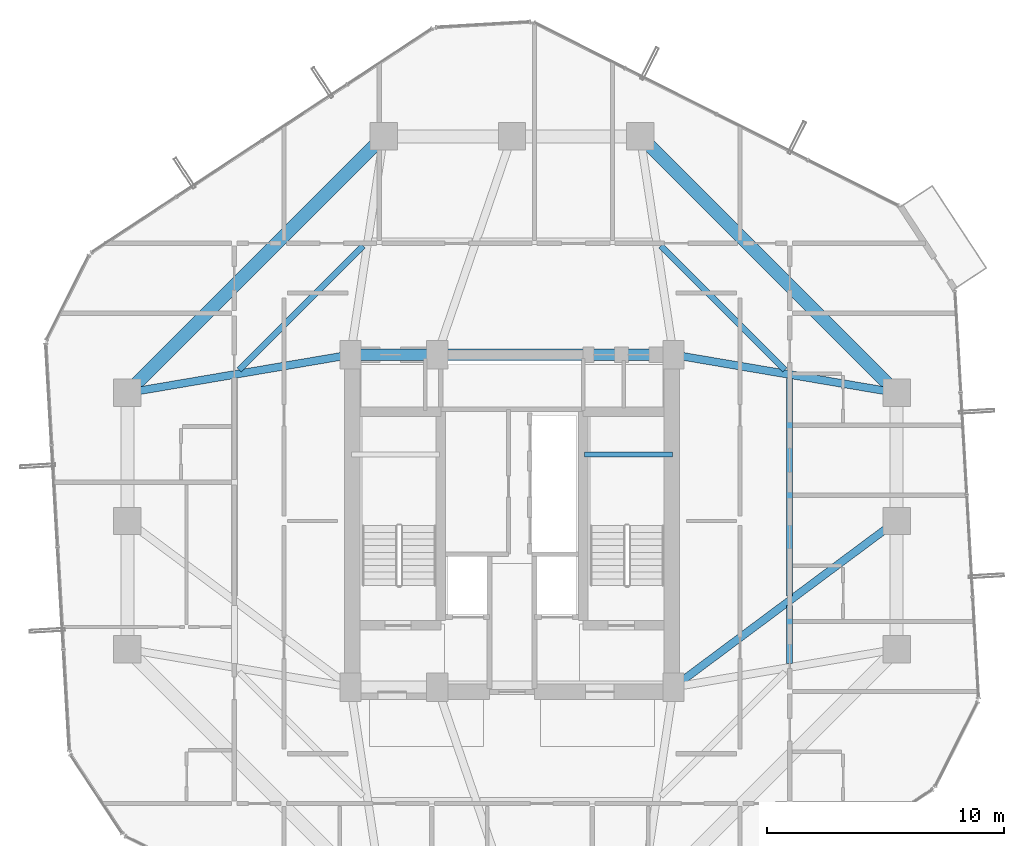
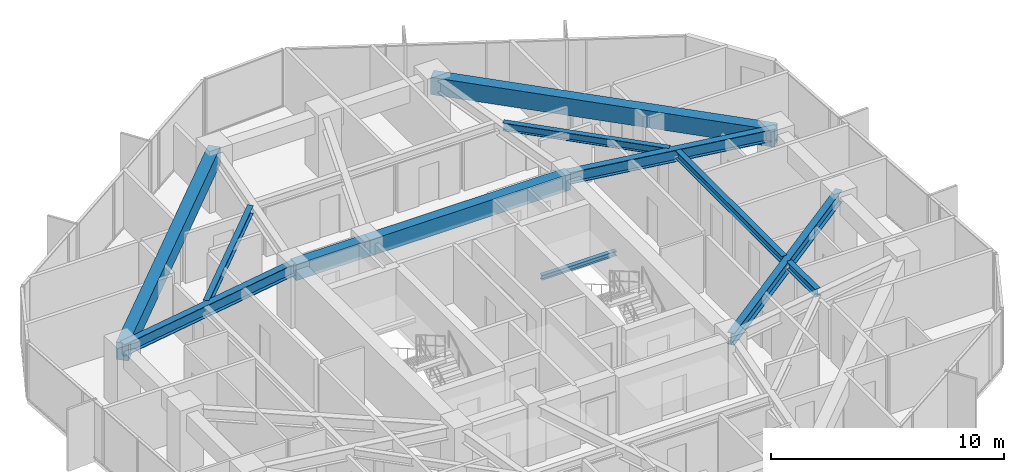
# One storey, part 13 of 33: 12 beams.
"""IFC4 building model written with IfcOpenShell, lengths in metres."""

from ifc_helpers import new_model, si_unit, direction, frame, origin, origin_2d, place, context, subcontext, project, spatial, rectangle, i_section, extrude, material, material_profile, profile_set, type_object, element, save


model = new_model("IFC4")

# Units and contexts
model_context = context("Model", 3, precision=1e-05, world=origin(), true_north=direction((0.0, 1.0)))
body_context = subcontext(model_context, "Body", "Model", "MODEL_VIEW")
ifc_project = project(units=[si_unit("LENGTHUNIT", "METRE"), si_unit("AREAUNIT", "SQUARE_METRE"), si_unit("VOLUMEUNIT", "CUBIC_METRE"), si_unit("PLANEANGLEUNIT", "RADIAN"), si_unit("MASSUNIT", "GRAM", prefix="KILO")], contexts=[model_context])

# Site, building, storey
site_placement = place(None, origin())
site = spatial("IfcSite", under=ifc_project, at=site_placement, CompositionType="ELEMENT")
building_placement = place(site_placement, origin())
building = spatial("IfcBuilding", under=site, at=building_placement, Name="Veraguas Prism Commons", CompositionType="ELEMENT")
storey_placement = place(building_placement, frame((0.0, 0.0, 139.25)))
storey = spatial("IfcBuildingStorey", under=building, at=storey_placement, Name="L39", CompositionType="ELEMENT", Elevation=139.25)

# Beams
ifc_material_1 = material(Name="Concrete C50/60", Category="concrete")
ifc_material_profile_1 = material_profile(ifc_material_1, rectangle(XDim=0.5, YDim=0.85009765625, at=origin_2d()), Name="RC500X850")
ifc_profile_set_1 = profile_set([ifc_material_profile_1], Name="Concrete C50/60")
beam_type_1 = type_object("IfcBeamType", Name="Core Coupling Beam RC 500x850", PredefinedType="BEAM", material=ifc_profile_set_1)
beam_1_placement = place(storey_placement, frame((17.199951171875, 31.0, 2.574951171875), z_axis=(1.0, 0.0, 0.0), x_axis=(0.0, 1.0, 0.0)))
element("IfcBeam", 1, at=beam_1_placement, inside=storey, type_object=beam_type_1, Name="Core Coupling Beam L39-CRN1", PredefinedType="BEAM", context=body_context, shape_type="SweptSolid", body=[
    extrude(rectangle(XDim=0.5, YDim=0.85009765625, at=origin_2d()), origin(), (0.0, 0.0, 1.0), 3.650146484375),
])
beam_2_placement = place(storey_placement, frame((20.85009765625, 31.0, 2.574951171875), z_axis=(1.0, 0.0, 0.0), x_axis=(0.0, 1.0, 0.0)))
element("IfcBeam", 2, at=beam_2_placement, inside=storey, type_object=beam_type_1, Name="Core Coupling Beam L39-CRN2", PredefinedType="BEAM", context=body_context, shape_type="SweptSolid", body=[
    extrude(rectangle(XDim=0.5, YDim=0.85009765625, at=origin_2d()), origin(), (0.0, 0.0, 1.0), 9.949951171875),
])
ifc_material_2 = material(Name="Steel ASTM A992 Grade 50", Category="steel")
ifc_material_profile_2 = material_profile(ifc_material_2, i_section(OverallWidth=0.260986328125, OverallDepth=0.419921875, WebThickness=0.01171875, FlangeThickness=0.019287109375, at=origin_2d()), Name="W410X114")
ifc_profile_set_2 = profile_set([ifc_material_profile_2], Name="Steel ASTM A992 Grade 50")
beam_type_2 = type_object("IfcBeamType", Name="Lower Floor Joist W410x114", PredefinedType="JOIST", material=ifc_profile_set_2)
beam_3_placement = place(storey_placement, frame((35.68798828125, 17.996337890625, 2.7900390625), z_axis=(0.0, 1.0, 0.0), x_axis=(-1.0, 0.0, 0.0)))
element("IfcBeam", 3, at=beam_3_placement, inside=storey, type_object=beam_type_2, Name="Composite Floor Joist L39-JS01", PredefinedType="JOIST", context=body_context, shape_type="SweptSolid", body=[
    extrude(i_section(OverallWidth=0.260986328125, OverallDepth=0.419921875, WebThickness=0.01171875, FlangeThickness=0.019287109375, at=origin_2d()), origin(), (0.0, 0.0, 1.0), 2.441650390625),
])
beam_4_placement = place(storey_placement, frame((35.68798828125, 20.842041015625, 2.7900390625), z_axis=(0.0, 1.0, 0.0), x_axis=(-1.0, 0.0, 0.0)))
element("IfcBeam", 4, at=beam_4_placement, inside=storey, type_object=beam_type_2, Name="Composite Floor Joist L39-JS02", PredefinedType="JOIST", context=body_context, shape_type="SweptSolid", body=[
    extrude(i_section(OverallWidth=0.260986328125, OverallDepth=0.419921875, WebThickness=0.01171875, FlangeThickness=0.019287109375, at=origin_2d()), origin(), (0.0, 0.0, 1.0), 9.16162109375),
])
for number, where, z_axis, x_axis, name in (
    (5, (35.489990234375, 30.365966796875, 2.7900390625), (-0.707090260193, 0.707123301794, 0.0), (-0.707123301794, -0.707090260193, 0.0), "Composite Floor Joist L39-JS03"),
    (6, (17.734619140625, 35.5908203125, 2.7900390625), (-0.707090260193, -0.707123301794, 0.0), (0.707123301794, -0.707090260193, 0.0), "Composite Floor Joist L39-JS06"),
):
    element("IfcBeam", number, at=place(storey_placement, frame(where, z_axis=z_axis, x_axis=x_axis)), inside=storey, type_object=beam_type_2, Name=name, PredefinedType="JOIST", context=body_context, shape_type="SweptSolid", body=[
        extrude(i_section(OverallWidth=0.260986328125, OverallDepth=0.419921875, WebThickness=0.01171875, FlangeThickness=0.019287109375, at=origin_2d()), origin(), (0.0, 0.0, 1.0), 7.388916015625),
    ])
ifc_material_profile_3 = material_profile(ifc_material_1, rectangle(XDim=0.550048828125, YDim=0.89990234375, at=origin_2d()), Name="RC550X900")
ifc_profile_set_3 = profile_set([ifc_material_profile_3], Name="Concrete C50/60")
beam_type_3 = type_object("IfcBeamType", Name="Perimeter Spandrel Lower RC 550x900", PredefinedType="SPANDREL", material=ifc_profile_set_3)
for number, where, z_axis, x_axis, name in (
    (7, (40.199951171875, 29.39990234375, 2.550048828125), (-0.707106781187, 0.707106781187, 0.0), (-0.707106781187, -0.707106781187, 0.0), "Perimeter Spandrel Beam L39-SP03"),
    (8, (18.60009765625, 40.199951171875, 2.550048828125), (-0.707106781187, -0.707106781187, 0.0), (0.707106781187, -0.707106781187, 0.0), "Perimeter Spandrel Beam L39-SP06"),
):
    element("IfcBeam", number, at=place(storey_placement, frame(where, z_axis=z_axis, x_axis=x_axis)), inside=storey, type_object=beam_type_3, Name=name, PredefinedType="SPANDREL", context=body_context, shape_type="SweptSolid", body=[
        extrude(rectangle(XDim=0.550048828125, YDim=0.89990234375, at=origin_2d()), origin(), (0.0, 0.0, 1.0), 15.273681640625),
    ])
ifc_material_profile_4 = material_profile(ifc_material_2, i_section(OverallWidth=0.202880859375, OverallDepth=0.251953125, WebThickness=0.008056640625, FlangeThickness=0.013427734375, at=origin_2d()), Name="W250X58")
ifc_profile_set_4 = profile_set([ifc_material_profile_4], Name="Steel ASTM A992 Grade 50")
beam_type_4 = type_object("IfcBeamType", Name="Structural Opening Lintel W250x58", PredefinedType="LINTEL", material=ifc_profile_set_4)
beam_5_placement = place(storey_placement, frame((27.050048828125, 26.800048828125, 1.299072265625), z_axis=(1.0, 0.0, 0.0), x_axis=(0.0, 1.0, 0.0)))
element("IfcBeam", 9, at=beam_5_placement, inside=storey, type_object=beam_type_4, Name="Stair ST-02 Half-Landing Support Beam L39-1", PredefinedType="LINTEL", context=body_context, shape_type="SweptSolid", body=[
    extrude(i_section(OverallWidth=0.202880859375, OverallDepth=0.251953125, WebThickness=0.008056640625, FlangeThickness=0.013427734375, at=origin_2d()), origin(), (0.0, 0.0, 1.0), 3.699951171875),
])
ifc_material_profile_5 = material_profile(ifc_material_2, i_section(OverallWidth=0.327880859375, OverallDepth=0.6220703125, WebThickness=0.015380859375, FlangeThickness=0.0244140625, at=origin_2d()), Name="W610X195")
ifc_profile_set_5 = profile_set([ifc_material_profile_5], Name="Steel ASTM A992 Grade 50")
beam_type_5 = type_object("IfcBeamType", Name="Zone 2 Radial Girder W610x195", PredefinedType="BEAM", material=ifc_profile_set_5)
beam_6_placement = place(storey_placement, frame((40.199951171875, 24.0, 2.68896484375), z_axis=(-0.802040137921, -0.597270137512, 0.0), x_axis=(0.597270137512, -0.802040137921, 0.0)))
element("IfcBeam", 10, at=beam_6_placement, inside=storey, type_object=beam_type_5, Name="Radial Floor Girder L39-RD02", PredefinedType="BEAM", context=body_context, shape_type="SweptSolid", body=[
    extrude(i_section(OverallWidth=0.327880859375, OverallDepth=0.6220703125, WebThickness=0.015380859375, FlangeThickness=0.0244140625, at=origin_2d()), origin(), (0.0, 0.0, 1.0), 11.719970703125),
])
for number, where, z_axis, x_axis, name in (
    (11, (40.199951171875, 29.39990234375, 2.68896484375), (-0.985819187151, 0.1678109956, 0.0), (-0.1678109956, -0.985819187151, 0.0), "Radial Floor Girder L39-RD03"),
    (12, (7.800048828125, 29.39990234375, 2.68896484375), (0.985819187151, 0.1678109956, 0.0), (-0.1678109956, 0.985819187151, 0.0), "Radial Floor Girder L39-RD07"),
):
    element("IfcBeam", number, at=place(storey_placement, frame(where, z_axis=z_axis, x_axis=x_axis)), inside=storey, type_object=beam_type_5, Name=name, PredefinedType="BEAM", context=body_context, shape_type="SweptSolid", body=[
        extrude(i_section(OverallWidth=0.327880859375, OverallDepth=0.6220703125, WebThickness=0.015380859375, FlangeThickness=0.0244140625, at=origin_2d()), origin(), (0.0, 0.0, 1.0), 9.53515625),
    ])

save(model, "model.ifc")
